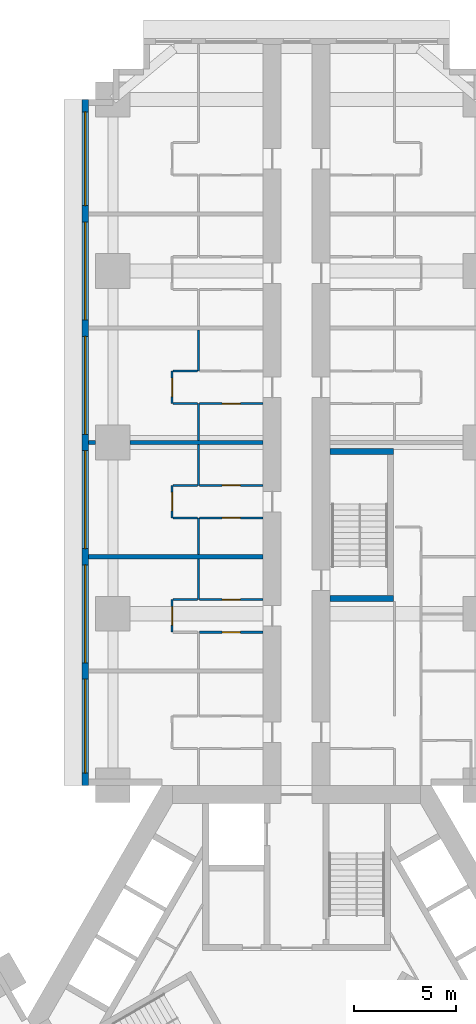
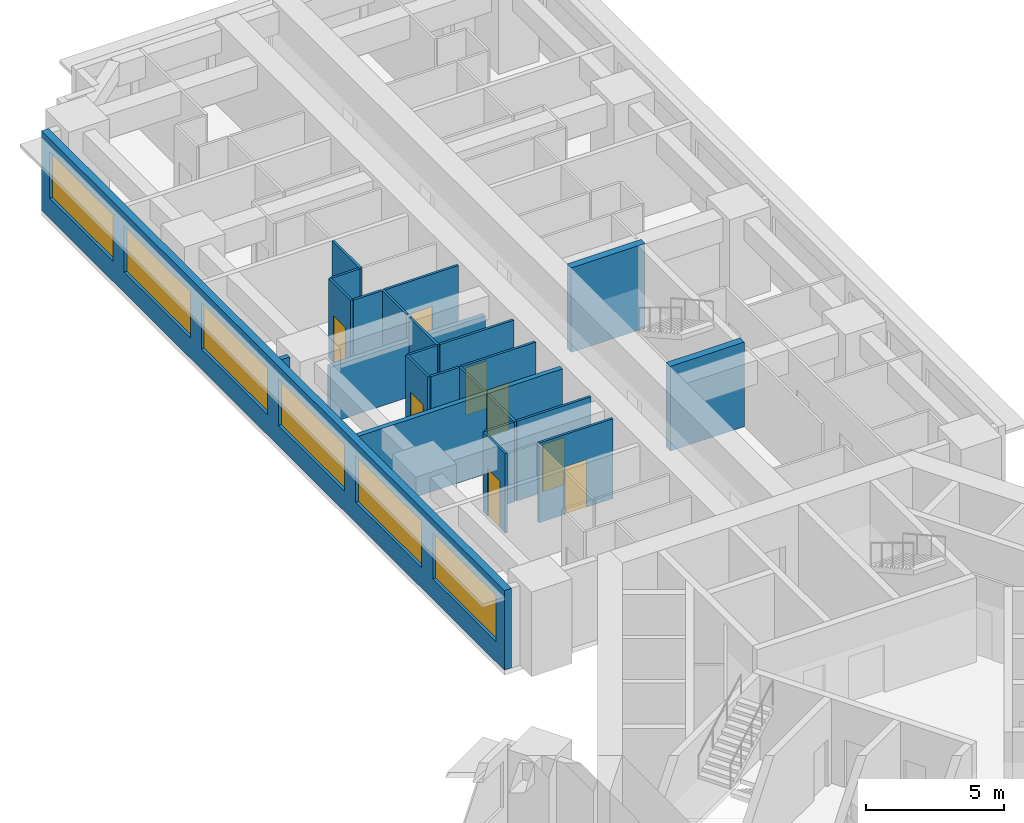
# One storey, part 9 of 17: 24 walls, 8 doors, 6 windows, 14 openings.
"""IFC4 building model written with IfcOpenShell, lengths in metres."""

from ifc_helpers import new_model, si_unit, direction, frame, frame_2d, origin, place, context, subcontext, project, spatial, rectangle, extrude, material, layer, layer_set, type_object, element, fill, save


model = new_model("IFC4")

# Units and contexts
model_context = context("Model", 3, precision=1e-05, world=origin(), true_north=direction((0.0, 1.0)))
body_context = subcontext(model_context, "Body", "Model", "MODEL_VIEW")
ifc_project = project(units=[si_unit("LENGTHUNIT", "METRE"), si_unit("AREAUNIT", "SQUARE_METRE"), si_unit("VOLUMEUNIT", "CUBIC_METRE"), si_unit("PLANEANGLEUNIT", "RADIAN"), si_unit("MASSUNIT", "GRAM", prefix="KILO")], contexts=[model_context])

# Site, building, storey
site_placement = place(None, origin())
site = spatial("IfcSite", under=ifc_project, at=site_placement, CompositionType="ELEMENT")
building_placement = place(site_placement, origin())
building = spatial("IfcBuilding", under=site, at=building_placement, Name="Impinga Residences", CompositionType="ELEMENT")
storey_placement = place(building_placement, frame((0.0, 0.0, 33.5)))
storey = spatial("IfcBuildingStorey", under=building, at=storey_placement, Name="L07", CompositionType="ELEMENT", Elevation=33.5)

# Wall, openings, windows
ifc_material_1 = material(Name="Terracotta rainscreen on blockwork", Category="masonry")
ifc_layer_1 = layer(ifc_material_1, 0.300048828125)
ifc_layer_set_1 = layer_set([ifc_layer_1], Name="EW1 external wall, terracotta rainscreen on blockwork 300")
wall_type_1 = type_object("IfcWallType", Name="EW1 external wall, terracotta rainscreen on blockwork 300", PredefinedType="SOLIDWALL", material=ifc_layer_set_1)
wall_1_placement = place(storey_placement, frame((-10.35009765625, 11.431640625, 0.0), z_axis=(0.0, 0.0, 1.0), x_axis=(0.0, 1.0, 0.0)))
wall_1 = element("IfcWall", 1, at=wall_1_placement, inside=storey, type_object=wall_type_1, Name="External wall EW1 L07", PredefinedType="SOLIDWALL", context=body_context, shape_type="SweptSolid", body=[
    extrude(rectangle(XDim=33.599853515625, YDim=0.300048828125, at=frame_2d((16.7998046875, 0.0))), origin(), (0.0, 0.0, 1.0), 3.530029296875),
])
opening_1_placement = place(wall_1_placement, frame((0.60009765625, 0.0, 0.89990234375)))
opening_1 = element("IfcOpeningElement", 2, at=opening_1_placement, cuts=wall_1, Name="Opening W3", PredefinedType="OPENING", context=body_context, shape_type="SweptSolid", body=[
    extrude(rectangle(XDim=4.60009765625, YDim=2.050048828125, at=frame_2d((2.300048828125, 1.02490234375))), frame((0.0, 0.159912109375, 0.0), z_axis=(0.0, -1.0, 0.0), x_axis=(1.0, 0.0, 0.0)), (0.0, 0.0, 1.0), 0.320068359375),
])
opening_2_placement = place(wall_1_placement, frame((6.0, 0.0, 0.89990234375)))
opening_2 = element("IfcOpeningElement", 3, at=opening_2_placement, cuts=wall_1, Name="Opening W8", PredefinedType="OPENING", context=body_context, shape_type="SweptSolid", body=[
    extrude(rectangle(XDim=4.800048828125, YDim=2.050048828125, at=frame_2d((2.39990234375, 1.02490234375))), frame((0.0, 0.159912109375, 0.0), z_axis=(0.0, -1.0, 0.0), x_axis=(1.0, 0.0, 0.0)), (0.0, 0.0, 1.0), 0.320068359375),
])
opening_3_placement = place(wall_1_placement, frame((11.60009765625, 0.0, 0.89990234375)))
opening_3 = element("IfcOpeningElement", 4, at=opening_3_placement, cuts=wall_1, Name="Opening W8", PredefinedType="OPENING", context=body_context, shape_type="SweptSolid", body=[
    extrude(rectangle(XDim=4.800048828125, YDim=2.050048828125, at=frame_2d((2.39990234375, 1.02490234375))), frame((0.0, 0.159912109375, 0.0), z_axis=(0.0, -1.0, 0.0), x_axis=(1.0, 0.0, 0.0)), (0.0, 0.0, 1.0), 0.320068359375),
])
opening_4_placement = place(wall_1_placement, frame((17.199951171875, 0.0, 0.89990234375)))
opening_4 = element("IfcOpeningElement", 5, at=opening_4_placement, cuts=wall_1, Name="Opening W8", PredefinedType="OPENING", context=body_context, shape_type="SweptSolid", body=[
    extrude(rectangle(XDim=4.800048828125, YDim=2.050048828125, at=frame_2d((2.39990234375, 1.02490234375))), frame((0.0, 0.159912109375, 0.0), z_axis=(0.0, -1.0, 0.0), x_axis=(1.0, 0.0, 0.0)), (0.0, 0.0, 1.0), 0.320068359375),
])
opening_5_placement = place(wall_1_placement, frame((22.800048828125, 0.0, 0.89990234375)))
opening_5 = element("IfcOpeningElement", 6, at=opening_5_placement, cuts=wall_1, Name="Opening W8", PredefinedType="OPENING", context=body_context, shape_type="SweptSolid", body=[
    extrude(rectangle(XDim=4.800048828125, YDim=2.050048828125, at=frame_2d((2.39990234375, 1.02490234375))), frame((0.0, 0.159912109375, 0.0), z_axis=(0.0, -1.0, 0.0), x_axis=(1.0, 0.0, 0.0)), (0.0, 0.0, 1.0), 0.320068359375),
])
opening_6_placement = place(wall_1_placement, frame((28.39990234375, 0.0, 0.89990234375)))
opening_6 = element("IfcOpeningElement", 7, at=opening_6_placement, cuts=wall_1, Name="Opening W3", PredefinedType="OPENING", context=body_context, shape_type="SweptSolid", body=[
    extrude(rectangle(XDim=4.60009765625, YDim=2.050048828125, at=frame_2d((2.300048828125, 1.02490234375))), frame((0.0, 0.159912109375, 0.0), z_axis=(0.0, -1.0, 0.0), x_axis=(1.0, 0.0, 0.0)), (0.0, 0.0, 1.0), 0.320068359375),
])
ifc_material_2 = material(Name="Aluminium window, clear double glazing", Category="aluminium")
window_type_1 = type_object("IfcWindowType", Name="W3 ribbon window 4600x2050", PartitioningType="SINGLE_PANEL", PredefinedType="WINDOW", material=ifc_material_2)
window_1_placement = place(opening_1_placement, origin())
window_1 = element("IfcWindow", 8, at=window_1_placement, inside=storey, type_object=window_type_1, Name="Window L07", OverallHeight=2.050048828125, OverallWidth=4.60009765625, PartitioningType="SINGLE_PANEL", PredefinedType="WINDOW", context=body_context, shape_type="SweptSolid", body=[
    extrude(rectangle(XDim=4.60009765625, YDim=2.050048828125, at=frame_2d((2.300048828125, 1.02490234375))), frame((0.0, 0.030029296875, 0.0), z_axis=(0.0, -1.0, 0.0), x_axis=(1.0, 0.0, 0.0)), (0.0, 0.0, 1.0), 0.06005859375),
])
fill(opening_1, window_1)
window_2_placement = place(opening_6_placement, origin())
window_2 = element("IfcWindow", 9, at=window_2_placement, inside=storey, type_object=window_type_1, Name="Window L07", OverallHeight=2.050048828125, OverallWidth=4.60009765625, PartitioningType="SINGLE_PANEL", PredefinedType="WINDOW", context=body_context, shape_type="SweptSolid", body=[
    extrude(rectangle(XDim=4.60009765625, YDim=2.050048828125, at=frame_2d((2.300048828125, 1.02490234375))), frame((0.0, 0.030029296875, 0.0), z_axis=(0.0, -1.0, 0.0), x_axis=(1.0, 0.0, 0.0)), (0.0, 0.0, 1.0), 0.06005859375),
])
fill(opening_6, window_2)
window_type_2 = type_object("IfcWindowType", Name="W8 ribbon window 4800x2050", PartitioningType="SINGLE_PANEL", PredefinedType="WINDOW", material=ifc_material_2)
window_3_placement = place(opening_2_placement, origin())
window_3 = element("IfcWindow", 10, at=window_3_placement, inside=storey, type_object=window_type_2, Name="Window L07", OverallHeight=2.050048828125, OverallWidth=4.800048828125, PartitioningType="SINGLE_PANEL", PredefinedType="WINDOW", context=body_context, shape_type="SweptSolid", body=[
    extrude(rectangle(XDim=4.800048828125, YDim=2.050048828125, at=frame_2d((2.39990234375, 1.02490234375))), frame((0.0, 0.030029296875, 0.0), z_axis=(0.0, -1.0, 0.0), x_axis=(1.0, 0.0, 0.0)), (0.0, 0.0, 1.0), 0.06005859375),
])
fill(opening_2, window_3)
window_4_placement = place(opening_3_placement, origin())
window_4 = element("IfcWindow", 11, at=window_4_placement, inside=storey, type_object=window_type_2, Name="Window L07", OverallHeight=2.050048828125, OverallWidth=4.800048828125, PartitioningType="SINGLE_PANEL", PredefinedType="WINDOW", context=body_context, shape_type="SweptSolid", body=[
    extrude(rectangle(XDim=4.800048828125, YDim=2.050048828125, at=frame_2d((2.39990234375, 1.02490234375))), frame((0.0, 0.030029296875, 0.0), z_axis=(0.0, -1.0, 0.0), x_axis=(1.0, 0.0, 0.0)), (0.0, 0.0, 1.0), 0.06005859375),
])
fill(opening_3, window_4)
window_5_placement = place(opening_4_placement, origin())
window_5 = element("IfcWindow", 12, at=window_5_placement, inside=storey, type_object=window_type_2, Name="Window L07", OverallHeight=2.050048828125, OverallWidth=4.800048828125, PartitioningType="SINGLE_PANEL", PredefinedType="WINDOW", context=body_context, shape_type="SweptSolid", body=[
    extrude(rectangle(XDim=4.800048828125, YDim=2.050048828125, at=frame_2d((2.39990234375, 1.02490234375))), frame((0.0, 0.030029296875, 0.0), z_axis=(0.0, -1.0, 0.0), x_axis=(1.0, 0.0, 0.0)), (0.0, 0.0, 1.0), 0.06005859375),
])
fill(opening_4, window_5)
window_6_placement = place(opening_5_placement, origin())
window_6 = element("IfcWindow", 13, at=window_6_placement, inside=storey, type_object=window_type_2, Name="Window L07", OverallHeight=2.050048828125, OverallWidth=4.800048828125, PartitioningType="SINGLE_PANEL", PredefinedType="WINDOW", context=body_context, shape_type="SweptSolid", body=[
    extrude(rectangle(XDim=4.800048828125, YDim=2.050048828125, at=frame_2d((2.39990234375, 1.02490234375))), frame((0.0, 0.030029296875, 0.0), z_axis=(0.0, -1.0, 0.0), x_axis=(1.0, 0.0, 0.0)), (0.0, 0.0, 1.0), 0.06005859375),
])
fill(opening_5, window_6)

# Wall
ifc_material_3 = material(Name="Gypsum board on steel studs", Category="steel")
ifc_layer_2 = layer(ifc_material_3, 0.10009765625)
ifc_layer_set_2 = layer_set([ifc_layer_2], Name="Gypsum board on steel studs")
wall_type_2 = type_object("IfcWallType", Name="IP1 partition 100", PredefinedType="PARTITIONING", material=ifc_layer_set_2)
wall_2_placement = place(storey_placement, frame((-4.800048828125, 20.531494140625, 0.0), z_axis=(0.0, 0.0, 1.0), x_axis=(0.0, 1.0, 0.0)))
element("IfcWall", 14, at=wall_2_placement, inside=storey, type_object=wall_type_2, Name="Partition L07-NA2:DIV1", PredefinedType="PARTITIONING", context=body_context, shape_type="SweptSolid", body=[
    extrude(rectangle(XDim=2.0, YDim=0.10009765625, at=frame_2d((1.0, 0.0))), origin(), (0.0, 0.0, 1.0), 3.530029296875),
])

# Wall, opening, door
wall_3_placement = place(storey_placement, frame((-6.10009765625, 18.931640625, 0.0), z_axis=(0.0, 0.0, 1.0), x_axis=(0.0, 1.0, 0.0)))
wall_3 = element("IfcWall", 15, at=wall_3_placement, inside=storey, type_object=wall_type_2, Name="Partition L07-NA2:STRIP", PredefinedType="PARTITIONING", context=body_context, shape_type="SweptSolid", body=[
    extrude(rectangle(XDim=1.599853515625, YDim=0.10009765625, at=frame_2d((0.7998046875, 0.0))), origin(), (0.0, 0.0, 1.0), 3.530029296875),
])
opening_7_placement = place(wall_3_placement, frame((0.35009765625, 0.0, 0.0)))
opening_7 = element("IfcOpeningElement", 16, at=opening_7_placement, cuts=wall_3, Name="Opening D2", PredefinedType="OPENING", context=body_context, shape_type="SweptSolid", body=[
    extrude(rectangle(XDim=0.89990234375, YDim=2.10009765625, at=frame_2d((0.449951171875, 1.050048828125))), frame((0.0, 0.06005859375, 0.0), z_axis=(0.0, -1.0, 0.0), x_axis=(1.0, 0.0, 0.0)), (0.0, 0.0, 1.0), 0.1201171875),
])
ifc_material_4 = material(Name="Timber door set", Category="wood")
door_type = type_object("IfcDoorType", Name="D2 internal door 900x2100", OperationType="SINGLE_SWING_LEFT", PredefinedType="DOOR", material=ifc_material_4)
door_1_placement = place(opening_7_placement, origin())
door_1 = element("IfcDoor", 17, at=door_1_placement, inside=storey, type_object=door_type, Name="Apartment L07-NA2 room door", OperationType="SINGLE_SWING_LEFT", OverallHeight=2.10009765625, OverallWidth=0.89990234375, PredefinedType="DOOR", context=body_context, shape_type="SweptSolid", body=[
    extrude(rectangle(XDim=0.89990234375, YDim=2.10009765625, at=frame_2d((0.449951171875, 1.050048828125))), frame((0.0, 0.02490234375, 0.0), z_axis=(0.0, -1.0, 0.0), x_axis=(1.0, 0.0, 0.0)), (0.0, 0.0, 1.0), 0.050048828125),
])
fill(opening_7, door_1)

# Wall
wall_4_placement = place(storey_placement, frame((-4.85009765625, 20.531494140625, 0.0), z_axis=(0.0, 0.0, 1.0), x_axis=(-1.0, 0.0, 0.0)))
element("IfcWall", 18, at=wall_4_placement, inside=storey, type_object=wall_type_2, Name="Partition L07-NA2:SE1", PredefinedType="PARTITIONING", context=body_context, shape_type="SweptSolid", body=[
    extrude(rectangle(XDim=1.199951171875, YDim=0.10009765625, at=frame_2d((0.60009765625, 0.0))), origin(), (0.0, 0.0, 1.0), 3.530029296875),
])

# Wall, opening, door
wall_5_placement = place(storey_placement, frame((-1.64990234375, 18.931640625, 0.0), z_axis=(0.0, 0.0, 1.0), x_axis=(-1.0, 0.0, 0.0)))
wall_5 = element("IfcWall", 19, at=wall_5_placement, inside=storey, type_object=wall_type_2, Name="Partition L07-NA2:IB1", PredefinedType="PARTITIONING", context=body_context, shape_type="SweptSolid", body=[
    extrude(rectangle(XDim=3.10009765625, YDim=0.10009765625, at=frame_2d((1.550048828125, 0.0))), origin(), (0.0, 0.0, 1.0), 3.530029296875),
])
opening_8_placement = place(wall_5_placement, frame((1.10009765625, 0.0, 0.0)))
opening_8 = element("IfcOpeningElement", 20, at=opening_8_placement, cuts=wall_5, Name="Opening D2", PredefinedType="OPENING", context=body_context, shape_type="SweptSolid", body=[
    extrude(rectangle(XDim=0.89990234375, YDim=2.10009765625, at=frame_2d((0.449951171875, 1.050048828125))), frame((0.0, 0.06005859375, 0.0), z_axis=(0.0, -1.0, 0.0), x_axis=(1.0, 0.0, 0.0)), (0.0, 0.0, 1.0), 0.1201171875),
])
door_2_placement = place(opening_8_placement, origin())
door_2 = element("IfcDoor", 21, at=door_2_placement, inside=storey, type_object=door_type, Name="Apartment L07-NA2 bathroom door", OperationType="SINGLE_SWING_LEFT", OverallHeight=2.10009765625, OverallWidth=0.89990234375, PredefinedType="DOOR", context=body_context, shape_type="SweptSolid", body=[
    extrude(rectangle(XDim=0.89990234375, YDim=2.10009765625, at=frame_2d((0.449951171875, 1.050048828125))), frame((0.0, 0.02490234375, 0.0), z_axis=(0.0, -1.0, 0.0), x_axis=(1.0, 0.0, 0.0)), (0.0, 0.0, 1.0), 0.050048828125),
])
fill(opening_8, door_2)

wall_6_placement = place(storey_placement, frame((-1.64990234375, 20.531494140625, 0.0), z_axis=(0.0, 0.0, 1.0), x_axis=(-1.0, 0.0, 0.0)))
wall_6 = element("IfcWall", 22, at=wall_6_placement, inside=storey, type_object=wall_type_2, Name="Partition L07-NA2:IB2", PredefinedType="PARTITIONING", context=body_context, shape_type="SweptSolid", body=[
    extrude(rectangle(XDim=3.10009765625, YDim=0.10009765625, at=frame_2d((1.550048828125, 0.0))), origin(), (0.0, 0.0, 1.0), 3.530029296875),
])
opening_9_placement = place(wall_6_placement, frame((1.10009765625, 0.0, 0.0)))
opening_9 = element("IfcOpeningElement", 23, at=opening_9_placement, cuts=wall_6, Name="Opening D2", PredefinedType="OPENING", context=body_context, shape_type="SweptSolid", body=[
    extrude(rectangle(XDim=0.89990234375, YDim=2.10009765625, at=frame_2d((0.449951171875, 1.050048828125))), frame((0.0, 0.06005859375, 0.0), z_axis=(0.0, -1.0, 0.0), x_axis=(1.0, 0.0, 0.0)), (0.0, 0.0, 1.0), 0.1201171875),
])
door_3_placement = place(opening_9_placement, origin())
door_3 = element("IfcDoor", 24, at=door_3_placement, inside=storey, type_object=door_type, Name="Apartment L07-NA2 WC door", OperationType="SINGLE_SWING_LEFT", OverallHeight=2.10009765625, OverallWidth=0.89990234375, PredefinedType="DOOR", context=body_context, shape_type="SweptSolid", body=[
    extrude(rectangle(XDim=0.89990234375, YDim=2.10009765625, at=frame_2d((0.449951171875, 1.050048828125))), frame((0.0, 0.02490234375, 0.0), z_axis=(0.0, -1.0, 0.0), x_axis=(1.0, 0.0, 0.0)), (0.0, 0.0, 1.0), 0.050048828125),
])
fill(opening_9, door_3)

# Walls
wall_7_placement = place(storey_placement, frame((-4.800048828125, 22.7314453125, 0.0), z_axis=(0.0, 0.0, 1.0), x_axis=(0.0, 1.0, 0.0)))
element("IfcWall", 25, at=wall_7_placement, inside=storey, type_object=wall_type_2, Name="Partition L07-NA3:DIV0", PredefinedType="PARTITIONING", context=body_context, shape_type="SweptSolid", body=[
    extrude(rectangle(XDim=1.800048828125, YDim=0.10009765625, at=frame_2d((0.89990234375, 0.0))), origin(), (0.0, 0.0, 1.0), 3.530029296875),
])
wall_8_placement = place(storey_placement, frame((-4.800048828125, 26.131591796875, 0.0), z_axis=(0.0, 0.0, 1.0), x_axis=(0.0, 1.0, 0.0)))
element("IfcWall", 26, at=wall_8_placement, inside=storey, type_object=wall_type_2, Name="Partition L07-NA3:DIV1", PredefinedType="PARTITIONING", context=body_context, shape_type="SweptSolid", body=[
    extrude(rectangle(XDim=2.0, YDim=0.10009765625, at=frame_2d((1.0, 0.0))), origin(), (0.0, 0.0, 1.0), 3.530029296875),
])

# Wall, opening, door
wall_9_placement = place(storey_placement, frame((-6.10009765625, 24.531494140625, 0.0), z_axis=(0.0, 0.0, 1.0), x_axis=(0.0, 1.0, 0.0)))
wall_9 = element("IfcWall", 27, at=wall_9_placement, inside=storey, type_object=wall_type_2, Name="Partition L07-NA3:STRIP", PredefinedType="PARTITIONING", context=body_context, shape_type="SweptSolid", body=[
    extrude(rectangle(XDim=1.60009765625, YDim=0.10009765625, at=frame_2d((0.800048828125, 0.0))), origin(), (0.0, 0.0, 1.0), 3.530029296875),
])
opening_10_placement = place(wall_9_placement, frame((0.35009765625, 0.0, 0.0)))
opening_10 = element("IfcOpeningElement", 28, at=opening_10_placement, cuts=wall_9, Name="Opening D2", PredefinedType="OPENING", context=body_context, shape_type="SweptSolid", body=[
    extrude(rectangle(XDim=0.89990234375, YDim=2.10009765625, at=frame_2d((0.449951171875, 1.050048828125))), frame((0.0, 0.06005859375, 0.0), z_axis=(0.0, -1.0, 0.0), x_axis=(1.0, 0.0, 0.0)), (0.0, 0.0, 1.0), 0.1201171875),
])
door_4_placement = place(opening_10_placement, origin())
door_4 = element("IfcDoor", 29, at=door_4_placement, inside=storey, type_object=door_type, Name="Apartment L07-NA3 room door", OperationType="SINGLE_SWING_LEFT", OverallHeight=2.10009765625, OverallWidth=0.89990234375, PredefinedType="DOOR", context=body_context, shape_type="SweptSolid", body=[
    extrude(rectangle(XDim=0.89990234375, YDim=2.10009765625, at=frame_2d((0.449951171875, 1.050048828125))), frame((0.0, 0.02490234375, 0.0), z_axis=(0.0, -1.0, 0.0), x_axis=(1.0, 0.0, 0.0)), (0.0, 0.0, 1.0), 0.050048828125),
])
fill(opening_10, door_4)

# Walls
for number, where, z_axis, x_axis, name in (
    (30, (-4.85009765625, 24.531494140625, 0.0), (0.0, 0.0, 1.0), (-1.0, 0.0, 0.0), "Partition L07-NA3:SE0"),
    (31, (-4.85009765625, 26.131591796875, 0.0), (0.0, 0.0, 1.0), (-1.0, 0.0, 0.0), "Partition L07-NA3:SE1"),
):
    element("IfcWall", number, at=place(storey_placement, frame(where, z_axis=z_axis, x_axis=x_axis)), inside=storey, type_object=wall_type_2, Name=name, PredefinedType="PARTITIONING", context=body_context, shape_type="SweptSolid", body=[
        extrude(rectangle(XDim=1.199951171875, YDim=0.10009765625, at=frame_2d((0.60009765625, 0.0))), origin(), (0.0, 0.0, 1.0), 3.530029296875),
    ])

# Wall, opening, door
wall_10_placement = place(storey_placement, frame((-1.64990234375, 24.531494140625, 0.0), z_axis=(0.0, 0.0, 1.0), x_axis=(-1.0, 0.0, 0.0)))
wall_10 = element("IfcWall", 32, at=wall_10_placement, inside=storey, type_object=wall_type_2, Name="Partition L07-NA3:IB1", PredefinedType="PARTITIONING", context=body_context, shape_type="SweptSolid", body=[
    extrude(rectangle(XDim=3.10009765625, YDim=0.10009765625, at=frame_2d((1.550048828125, 0.0))), origin(), (0.0, 0.0, 1.0), 3.530029296875),
])
opening_11_placement = place(wall_10_placement, frame((1.10009765625, 0.0, 0.0)))
opening_11 = element("IfcOpeningElement", 33, at=opening_11_placement, cuts=wall_10, Name="Opening D2", PredefinedType="OPENING", context=body_context, shape_type="SweptSolid", body=[
    extrude(rectangle(XDim=0.89990234375, YDim=2.10009765625, at=frame_2d((0.449951171875, 1.050048828125))), frame((0.0, 0.06005859375, 0.0), z_axis=(0.0, -1.0, 0.0), x_axis=(1.0, 0.0, 0.0)), (0.0, 0.0, 1.0), 0.1201171875),
])
door_5_placement = place(opening_11_placement, origin())
door_5 = element("IfcDoor", 34, at=door_5_placement, inside=storey, type_object=door_type, Name="Apartment L07-NA3 bathroom door", OperationType="SINGLE_SWING_LEFT", OverallHeight=2.10009765625, OverallWidth=0.89990234375, PredefinedType="DOOR", context=body_context, shape_type="SweptSolid", body=[
    extrude(rectangle(XDim=0.89990234375, YDim=2.10009765625, at=frame_2d((0.449951171875, 1.050048828125))), frame((0.0, 0.02490234375, 0.0), z_axis=(0.0, -1.0, 0.0), x_axis=(1.0, 0.0, 0.0)), (0.0, 0.0, 1.0), 0.050048828125),
])
fill(opening_11, door_5)

wall_11_placement = place(storey_placement, frame((-1.64990234375, 26.131591796875, 0.0), z_axis=(0.0, 0.0, 1.0), x_axis=(-1.0, 0.0, 0.0)))
wall_11 = element("IfcWall", 35, at=wall_11_placement, inside=storey, type_object=wall_type_2, Name="Partition L07-NA3:IB2", PredefinedType="PARTITIONING", context=body_context, shape_type="SweptSolid", body=[
    extrude(rectangle(XDim=3.10009765625, YDim=0.10009765625, at=frame_2d((1.550048828125, 0.0))), origin(), (0.0, 0.0, 1.0), 3.530029296875),
])
opening_12_placement = place(wall_11_placement, frame((1.10009765625, 0.0, 0.0)))
opening_12 = element("IfcOpeningElement", 36, at=opening_12_placement, cuts=wall_11, Name="Opening D2", PredefinedType="OPENING", context=body_context, shape_type="SweptSolid", body=[
    extrude(rectangle(XDim=0.89990234375, YDim=2.10009765625, at=frame_2d((0.449951171875, 1.050048828125))), frame((0.0, 0.06005859375, 0.0), z_axis=(0.0, -1.0, 0.0), x_axis=(1.0, 0.0, 0.0)), (0.0, 0.0, 1.0), 0.1201171875),
])
door_6_placement = place(opening_12_placement, origin())
door_6 = element("IfcDoor", 37, at=door_6_placement, inside=storey, type_object=door_type, Name="Apartment L07-NA3 WC door", OperationType="SINGLE_SWING_LEFT", OverallHeight=2.10009765625, OverallWidth=0.89990234375, PredefinedType="DOOR", context=body_context, shape_type="SweptSolid", body=[
    extrude(rectangle(XDim=0.89990234375, YDim=2.10009765625, at=frame_2d((0.449951171875, 1.050048828125))), frame((0.0, 0.02490234375, 0.0), z_axis=(0.0, -1.0, 0.0), x_axis=(1.0, 0.0, 0.0)), (0.0, 0.0, 1.0), 0.050048828125),
])
fill(opening_12, door_6)

# Walls
wall_12_placement = place(storey_placement, frame((-4.800048828125, 28.33154296875, 0.0), z_axis=(0.0, 0.0, 1.0), x_axis=(0.0, 1.0, 0.0)))
element("IfcWall", 38, at=wall_12_placement, inside=storey, type_object=wall_type_2, Name="Partition L07-NA4:DIV0", PredefinedType="PARTITIONING", context=body_context, shape_type="SweptSolid", body=[
    extrude(rectangle(XDim=1.800048828125, YDim=0.10009765625, at=frame_2d((0.89990234375, 0.0))), origin(), (0.0, 0.0, 1.0), 3.530029296875),
])
wall_13_placement = place(storey_placement, frame((-4.800048828125, 31.7314453125, 0.0), z_axis=(0.0, 0.0, 1.0), x_axis=(0.0, 1.0, 0.0)))
element("IfcWall", 39, at=wall_13_placement, inside=storey, type_object=wall_type_2, Name="Partition L07-NA4:DIV1", PredefinedType="PARTITIONING", context=body_context, shape_type="SweptSolid", body=[
    extrude(rectangle(XDim=2.0, YDim=0.10009765625, at=frame_2d((1.0, 0.0))), origin(), (0.0, 0.0, 1.0), 3.530029296875),
])

# Wall, opening, door
wall_14_placement = place(storey_placement, frame((-6.10009765625, 30.131591796875, 0.0), z_axis=(0.0, 0.0, 1.0), x_axis=(0.0, 1.0, 0.0)))
wall_14 = element("IfcWall", 40, at=wall_14_placement, inside=storey, type_object=wall_type_2, Name="Partition L07-NA4:STRIP", PredefinedType="PARTITIONING", context=body_context, shape_type="SweptSolid", body=[
    extrude(rectangle(XDim=1.599853515625, YDim=0.10009765625, at=frame_2d((0.7998046875, 0.0))), origin(), (0.0, 0.0, 1.0), 3.530029296875),
])
opening_13_placement = place(wall_14_placement, frame((0.35009765625, 0.0, 0.0)))
opening_13 = element("IfcOpeningElement", 41, at=opening_13_placement, cuts=wall_14, Name="Opening D2", PredefinedType="OPENING", context=body_context, shape_type="SweptSolid", body=[
    extrude(rectangle(XDim=0.89990234375, YDim=2.10009765625, at=frame_2d((0.449951171875, 1.050048828125))), frame((0.0, 0.06005859375, 0.0), z_axis=(0.0, -1.0, 0.0), x_axis=(1.0, 0.0, 0.0)), (0.0, 0.0, 1.0), 0.1201171875),
])
door_7_placement = place(opening_13_placement, origin())
door_7 = element("IfcDoor", 42, at=door_7_placement, inside=storey, type_object=door_type, Name="Apartment L07-NA4 room door", OperationType="SINGLE_SWING_LEFT", OverallHeight=2.10009765625, OverallWidth=0.89990234375, PredefinedType="DOOR", context=body_context, shape_type="SweptSolid", body=[
    extrude(rectangle(XDim=0.89990234375, YDim=2.10009765625, at=frame_2d((0.449951171875, 1.050048828125))), frame((0.0, 0.02490234375, 0.0), z_axis=(0.0, -1.0, 0.0), x_axis=(1.0, 0.0, 0.0)), (0.0, 0.0, 1.0), 0.050048828125),
])
fill(opening_13, door_7)

# Walls
for number, where, z_axis, x_axis, name in (
    (43, (-4.85009765625, 30.131591796875, 0.0), (0.0, 0.0, 1.0), (-1.0, 0.0, 0.0), "Partition L07-NA4:SE0"),
    (44, (-4.85009765625, 31.7314453125, 0.0), (0.0, 0.0, 1.0), (-1.0, 0.0, 0.0), "Partition L07-NA4:SE1"),
):
    element("IfcWall", number, at=place(storey_placement, frame(where, z_axis=z_axis, x_axis=x_axis)), inside=storey, type_object=wall_type_2, Name=name, PredefinedType="PARTITIONING", context=body_context, shape_type="SweptSolid", body=[
        extrude(rectangle(XDim=1.199951171875, YDim=0.10009765625, at=frame_2d((0.60009765625, 0.0))), origin(), (0.0, 0.0, 1.0), 3.530029296875),
    ])

# Wall, opening, door
wall_15_placement = place(storey_placement, frame((-1.64990234375, 30.131591796875, 0.0), z_axis=(0.0, 0.0, 1.0), x_axis=(-1.0, 0.0, 0.0)))
wall_15 = element("IfcWall", 45, at=wall_15_placement, inside=storey, type_object=wall_type_2, Name="Partition L07-NA4:IB1", PredefinedType="PARTITIONING", context=body_context, shape_type="SweptSolid", body=[
    extrude(rectangle(XDim=3.10009765625, YDim=0.10009765625, at=frame_2d((1.550048828125, 0.0))), origin(), (0.0, 0.0, 1.0), 3.530029296875),
])
opening_14_placement = place(wall_15_placement, frame((1.10009765625, 0.0, 0.0)))
opening_14 = element("IfcOpeningElement", 46, at=opening_14_placement, cuts=wall_15, Name="Opening D2", PredefinedType="OPENING", context=body_context, shape_type="SweptSolid", body=[
    extrude(rectangle(XDim=0.89990234375, YDim=2.10009765625, at=frame_2d((0.449951171875, 1.050048828125))), frame((0.0, 0.06005859375, 0.0), z_axis=(0.0, -1.0, 0.0), x_axis=(1.0, 0.0, 0.0)), (0.0, 0.0, 1.0), 0.1201171875),
])
door_8_placement = place(opening_14_placement, origin())
door_8 = element("IfcDoor", 47, at=door_8_placement, inside=storey, type_object=door_type, Name="Apartment L07-NA4 bathroom door", OperationType="SINGLE_SWING_LEFT", OverallHeight=2.10009765625, OverallWidth=0.89990234375, PredefinedType="DOOR", context=body_context, shape_type="SweptSolid", body=[
    extrude(rectangle(XDim=0.89990234375, YDim=2.10009765625, at=frame_2d((0.449951171875, 1.050048828125))), frame((0.0, 0.02490234375, 0.0), z_axis=(0.0, -1.0, 0.0), x_axis=(1.0, 0.0, 0.0)), (0.0, 0.0, 1.0), 0.050048828125),
])
fill(opening_14, door_8)

# Walls
ifc_material_5 = material(Name="Concrete blockwork", Category="masonry")
ifc_layer_3 = layer(ifc_material_5, 0.199951171875)
ifc_layer_set_3 = layer_set([ifc_layer_3], Name="PW1 party wall between apartments 200")
wall_type_3 = type_object("IfcWallType", Name="PW1 party wall between apartments 200", PredefinedType="SOLIDWALL", material=ifc_layer_set_3)
wall_16_placement = place(storey_placement, frame((-1.64990234375, 22.631591796875, 0.0), z_axis=(0.0, 0.0, 1.0), x_axis=(-1.0, 0.0, 0.0)))
element("IfcWall", 48, at=wall_16_placement, inside=storey, type_object=wall_type_3, Name="Party wall between apartments L07-NA2:PARTY", PredefinedType="SOLIDWALL", context=body_context, shape_type="SweptSolid", body=[
    extrude(rectangle(XDim=8.550048828125, YDim=0.199951171875, at=frame_2d((4.27490234375, 0.0))), origin(), (0.0, 0.0, 1.0), 3.530029296875),
])
wall_17_placement = place(storey_placement, frame((-1.64990234375, 28.2314453125, 0.0), z_axis=(0.0, 0.0, 1.0), x_axis=(-1.0, 0.0, 0.0)))
element("IfcWall", 49, at=wall_17_placement, inside=storey, type_object=wall_type_3, Name="Party wall between apartments L07-NA3:PARTY", PredefinedType="SOLIDWALL", context=body_context, shape_type="SweptSolid", body=[
    extrude(rectangle(XDim=6.5, YDim=0.199951171875, at=frame_2d((3.25, 0.0))), origin(), (0.0, 0.0, 1.0), 2.47998046875),
])
wall_18_placement = place(storey_placement, frame((-9.85009765625, 28.2314453125, 0.0), z_axis=(0.0, 0.0, 1.0), x_axis=(-1.0, 0.0, 0.0)))
element("IfcWall", 50, at=wall_18_placement, inside=storey, type_object=wall_type_3, Name="Party wall between apartments L07-NA3:PARTYb", PredefinedType="SOLIDWALL", context=body_context, shape_type="SweptSolid", body=[
    extrude(rectangle(XDim=0.349853515625, YDim=0.199951171875, at=frame_2d((0.1748046875, 0.0))), origin(), (0.0, 0.0, 1.0), 3.530029296875),
])
ifc_material_6 = material(Name="Concrete C60/75", Category="concrete")
ifc_layer_4 = layer(ifc_material_6, 0.300048828125)
ifc_layer_set_4 = layer_set([ifc_layer_4], Name="Concrete C60/75")
wall_type_4 = type_object("IfcWallType", Name="SE1 wing stair enclosure wall 300", PredefinedType="SOLIDWALL", material=ifc_layer_set_4)
for number, where, z_axis, x_axis, name in (
    (51, (1.64990234375, 20.58154296875, 0.0), (0.0, 0.0, 1.0), (1.0, 0.0, 0.0), "Stair enclosure wall SE1 N END0 L07"),
    (52, (1.64990234375, 27.781494140625, 0.0), (0.0, 0.0, 1.0), (1.0, 0.0, 0.0), "Stair enclosure wall SE1 N END1 L07"),
):
    element("IfcWall", number, at=place(storey_placement, frame(where, z_axis=z_axis, x_axis=x_axis)), inside=storey, type_object=wall_type_4, Name=name, PredefinedType="SOLIDWALL", context=body_context, shape_type="SweptSolid", body=[
        extrude(rectangle(XDim=3.10009765625, YDim=0.300048828125, at=frame_2d((1.550048828125, 0.0))), origin(), (0.0, 0.0, 1.0), 3.75),
    ])

save(model, "model.ifc")
